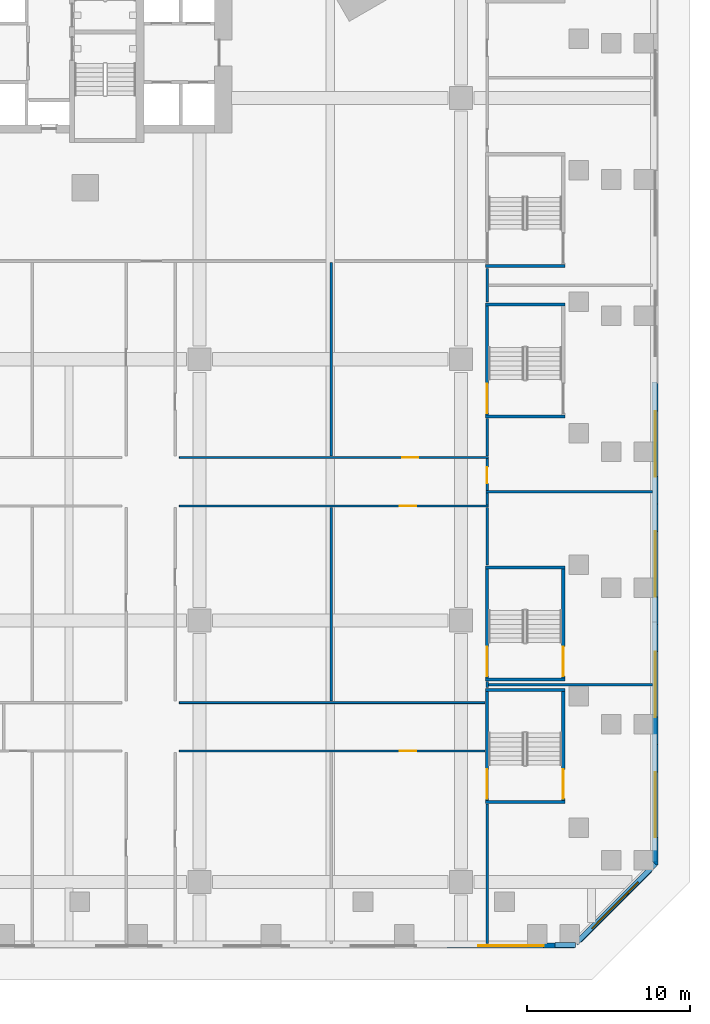
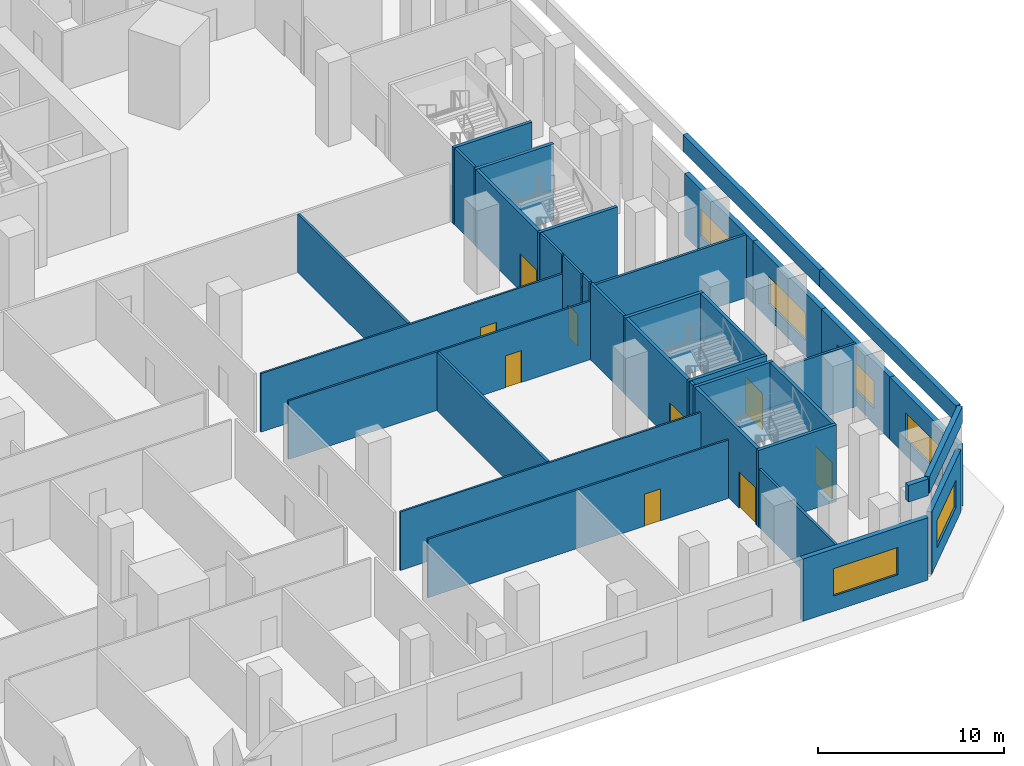
# One storey, part 9 of 22: 37 walls, 9 doors, 6 windows, 15 openings.
"""IFC4 building model written with IfcOpenShell, lengths in metres."""

from ifc_helpers import new_model, si_unit, direction, frame, frame_2d, origin, place, context, subcontext, project, spatial, rectangle, extrude, material, layer, layer_set, type_object, element, fill, save


model = new_model("IFC4")

# Units and contexts
model_context = context("Model", 3, precision=1e-05, world=origin(), true_north=direction((0.0, 1.0)))
body_context = subcontext(model_context, "Body", "Model", "MODEL_VIEW")
ifc_project = project(units=[si_unit("LENGTHUNIT", "METRE"), si_unit("AREAUNIT", "SQUARE_METRE"), si_unit("VOLUMEUNIT", "CUBIC_METRE"), si_unit("PLANEANGLEUNIT", "RADIAN"), si_unit("MASSUNIT", "GRAM", prefix="KILO")], contexts=[model_context])

# Site, building, storey
site_placement = place(None, origin())
site = spatial("IfcSite", under=ifc_project, at=site_placement, CompositionType="ELEMENT")
building_placement = place(site_placement, origin())
building = spatial("IfcBuilding", under=site, at=building_placement, Name="Calabash Gate Tower", CompositionType="ELEMENT")
storey_placement = place(building_placement, frame((0.0, 0.0, 29.0)))
storey = spatial("IfcBuildingStorey", under=building, at=storey_placement, Name="L03", CompositionType="ELEMENT", Elevation=29.0)

# Wall
ifc_material_1 = material(Name="Gypsum board on steel studs, mineral wool", Category="steel")
ifc_layer_1 = layer(ifc_material_1, 0.14990234375)
ifc_layer_set_1 = layer_set([ifc_layer_1], Name="Partition 150 gypsum board")
wall_type_1 = type_object("IfcWallType", Name="Partition 150 gypsum board", PredefinedType="PARTITIONING", material=ifc_layer_set_1)
wall_1_placement = place(storey_placement, frame((33.60009765625, -43.77001953125, 0.0), z_axis=(0.0, 0.0, 1.0), x_axis=(0.0, 1.0, 0.0)))
element("IfcWall", 1, at=wall_1_placement, inside=storey, type_object=wall_type_1, Name="Partition", PredefinedType="PARTITIONING", context=body_context, shape_type="SweptSolid", body=[
    extrude(rectangle(XDim=8.530029296875, YDim=0.14990234375, at=frame_2d((4.26513671875, 0.0))), origin(), (0.0, 0.0, 1.0), 3.85009765625),
])

# Wall, opening, door
wall_2_placement = place(storey_placement, frame((14.77001953125, -31.982421875, 0.0), z_axis=(0.0, 0.0, 1.0), x_axis=(1.0, 0.0, 0.0)))
wall_2 = element("IfcWall", 2, at=wall_2_placement, inside=storey, type_object=wall_type_1, Name="Partition", PredefinedType="PARTITIONING", context=body_context, shape_type="SweptSolid", body=[
    extrude(rectangle(XDim=18.68994140625, YDim=0.114990234375, at=frame_2d((9.344970703125, 0.0))), origin(), (0.0, 0.0, 1.0), 3.85009765625),
])
opening_1_placement = place(wall_2_placement, frame((13.47900390625, 0.0, 0.0)))
opening_1 = element("IfcOpeningElement", 3, at=opening_1_placement, cuts=wall_2, Name="Opening L03-069", PredefinedType="OPENING", context=body_context, shape_type="SweptSolid", body=[
    extrude(rectangle(XDim=1.0, YDim=2.10009765625, at=frame_2d((0.5, 1.050048828125))), frame((0.0, 0.0673828125, 0.0), z_axis=(0.0, -1.0, 0.0), x_axis=(1.0, 0.0, 0.0)), (0.0, 0.0, 1.0), 0.135009765625),
])
ifc_material_2 = material(Name="Steel fire door set with fire-resisting glazing", Category="steel")
door_type_1 = type_object("IfcDoorType", Name="Fire door D11 1000x2100 FD60", OperationType="NOTDEFINED", PredefinedType="DOOR", material=ifc_material_2)
door_1_placement = place(opening_1_placement, origin())
door_1 = element("IfcDoor", 4, at=door_1_placement, inside=storey, type_object=door_type_1, Name="Meeting Room 324 door", OperationType="SINGLE_SWING_LEFT", OverallHeight=2.10009765625, OverallWidth=1.0, PredefinedType="DOOR", context=body_context, shape_type="SweptSolid", body=[
    extrude(rectangle(XDim=1.0, YDim=2.10009765625, at=frame_2d((0.5, 1.050048828125))), frame((0.0, 0.02490234375, 0.0), z_axis=(0.0, -1.0, 0.0), x_axis=(1.0, 0.0, 0.0)), (0.0, 0.0, 1.0), 0.050048828125),
])
fill(opening_1, door_1)

# Walls
wall_3_placement = place(storey_placement, frame((14.77001953125, -29.017578125, 0.0), z_axis=(0.0, 0.0, 1.0), x_axis=(1.0, 0.0, 0.0)))
element("IfcWall", 5, at=wall_3_placement, inside=storey, type_object=wall_type_1, Name="Partition", PredefinedType="PARTITIONING", context=body_context, shape_type="SweptSolid", body=[
    extrude(rectangle(XDim=18.68994140625, YDim=0.114990234375, at=frame_2d((9.344970703125, 0.0))), origin(), (0.0, 0.0, 1.0), 3.85009765625),
])
wall_4_placement = place(storey_placement, frame((24.050048828125, -28.925048828125, 0.0), z_axis=(0.0, 0.0, 1.0), x_axis=(0.0, 1.0, 0.0)))
element("IfcWall", 6, at=wall_4_placement, inside=storey, type_object=wall_type_1, Name="Partition", PredefinedType="PARTITIONING", context=body_context, shape_type="SweptSolid", body=[
    extrude(rectangle(XDim=11.85009765625, YDim=0.14990234375, at=frame_2d((5.925048828125, 0.0))), origin(), (0.0, 0.0, 1.0), 3.85009765625),
])
wall_5_placement = place(storey_placement, frame((33.60009765625, -28.110107421875, 0.0), z_axis=(0.0, 0.0, 1.0), x_axis=(0.0, 1.0, 0.0)))
element("IfcWall", 7, at=wall_5_placement, inside=storey, type_object=wall_type_1, Name="Partition", PredefinedType="PARTITIONING", context=body_context, shape_type="SweptSolid", body=[
    extrude(rectangle(XDim=0.3701171875, YDim=0.14990234375, at=frame_2d((0.18505859375, 0.0))), origin(), (0.0, 0.0, 1.0), 5.050048828125),
])
wall_6_placement = place(storey_placement, frame((33.675048828125, -27.925048828125, 0.0), z_axis=(0.0, 0.0, 1.0), x_axis=(1.0, 0.0, 0.0)))
element("IfcWall", 8, at=wall_6_placement, inside=storey, type_object=wall_type_1, Name="Partition", PredefinedType="PARTITIONING", context=body_context, shape_type="SweptSolid", body=[
    extrude(rectangle(XDim=10.044921875, YDim=0.14990234375, at=frame_2d((5.0224609375, 0.0))), origin(), (0.0, 0.0, 1.0), 4.14990234375),
])
wall_7_placement = place(storey_placement, frame((33.60009765625, -20.610107421875, 0.0), z_axis=(0.0, 0.0, 1.0), x_axis=(0.0, 1.0, 0.0)))
element("IfcWall", 9, at=wall_7_placement, inside=storey, type_object=wall_type_1, Name="Partition", PredefinedType="PARTITIONING", context=body_context, shape_type="SweptSolid", body=[
    extrude(rectangle(XDim=3.53515625, YDim=0.14990234375, at=frame_2d((1.767578125, 0.0))), origin(), (0.0, 0.0, 1.0), 5.050048828125),
])

# Wall, opening, door
wall_8_placement = place(storey_placement, frame((14.77001953125, -16.982421875, 0.0), z_axis=(0.0, 0.0, 1.0), x_axis=(1.0, 0.0, 0.0)))
wall_8 = element("IfcWall", 10, at=wall_8_placement, inside=storey, type_object=wall_type_1, Name="Partition", PredefinedType="PARTITIONING", context=body_context, shape_type="SweptSolid", body=[
    extrude(rectangle(XDim=18.905029296875, YDim=0.114990234375, at=frame_2d((9.45263671875, 0.0))), origin(), (0.0, 0.0, 1.0), 3.85009765625),
])
opening_2_placement = place(wall_8_placement, frame((13.47998046875, 0.0, 0.0)))
opening_2 = element("IfcOpeningElement", 11, at=opening_2_placement, cuts=wall_8, Name="Opening L03-061", PredefinedType="OPENING", context=body_context, shape_type="SweptSolid", body=[
    extrude(rectangle(XDim=1.0, YDim=2.10009765625, at=frame_2d((0.5, 1.050048828125))), frame((0.0, 0.0673828125, 0.0), z_axis=(0.0, -1.0, 0.0), x_axis=(1.0, 0.0, 0.0)), (0.0, 0.0, 1.0), 0.135009765625),
])
door_2_placement = place(opening_2_placement, origin())
door_2 = element("IfcDoor", 12, at=door_2_placement, inside=storey, type_object=door_type_1, Name="Meeting Room 316 door", OperationType="SINGLE_SWING_RIGHT", OverallHeight=2.10009765625, OverallWidth=1.0, PredefinedType="DOOR", context=body_context, shape_type="SweptSolid", body=[
    extrude(rectangle(XDim=1.0, YDim=2.10009765625, at=frame_2d((0.5, 1.050048828125))), frame((0.0, 0.02490234375, 0.0), z_axis=(0.0, -1.0, 0.0), x_axis=(1.0, 0.0, 0.0)), (0.0, 0.0, 1.0), 0.050048828125),
])
fill(opening_2, door_2)

# Walls
wall_9_placement = place(storey_placement, frame((33.60009765625, -16.925048828125, 0.0), z_axis=(0.0, 0.0, 1.0), x_axis=(0.0, 1.0, 0.0)))
element("IfcWall", 13, at=wall_9_placement, inside=storey, type_object=wall_type_1, Name="Partition", PredefinedType="PARTITIONING", context=body_context, shape_type="SweptSolid", body=[
    extrude(rectangle(XDim=0.72509765625, YDim=0.14990234375, at=frame_2d((0.362548828125, 0.0))), origin(), (0.0, 0.0, 1.0), 5.050048828125),
])
wall_10_placement = place(storey_placement, frame((33.52490234375, -16.125, 0.0), z_axis=(0.0, 0.0, 1.0), x_axis=(1.0, 0.0, 0.0)))
element("IfcWall", 14, at=wall_10_placement, inside=storey, type_object=wall_type_1, Name="Partition", PredefinedType="PARTITIONING", context=body_context, shape_type="SweptSolid", body=[
    extrude(rectangle(XDim=10.195068359375, YDim=0.14990234375, at=frame_2d((5.09765625, 0.0))), origin(), (0.0, 0.0, 1.0), 4.14990234375),
])

# Wall, opening, door
wall_11_placement = place(storey_placement, frame((33.60009765625, -16.050048828125, 0.0), z_axis=(0.0, 0.0, 1.0), x_axis=(0.0, 1.0, 0.0)))
wall_11 = element("IfcWall", 15, at=wall_11_placement, inside=storey, type_object=wall_type_1, Name="Partition", PredefinedType="PARTITIONING", context=body_context, shape_type="SweptSolid", body=[
    extrude(rectangle(XDim=1.97509765625, YDim=0.14990234375, at=frame_2d((0.987548828125, 0.0))), origin(), (0.0, 0.0, 1.0), 5.050048828125),
])
opening_3_placement = place(wall_11_placement, frame((0.449951171875, 0.0, 0.0)))
opening_3 = element("IfcOpeningElement", 16, at=opening_3_placement, cuts=wall_11, Name="Opening L03-073", PredefinedType="OPENING", context=body_context, shape_type="SweptSolid", body=[
    extrude(rectangle(XDim=1.0, YDim=2.10009765625, at=frame_2d((0.5, 1.050048828125))), frame((0.0, 0.0849609375, 0.0), z_axis=(0.0, -1.0, 0.0), x_axis=(1.0, 0.0, 0.0)), (0.0, 0.0, 1.0), 0.169921875),
])
door_3_placement = place(opening_3_placement, origin())
door_3 = element("IfcDoor", 17, at=door_3_placement, inside=storey, type_object=door_type_1, Name="Delegate Lounge door", OperationType="SINGLE_SWING_LEFT", OverallHeight=2.10009765625, OverallWidth=1.0, PredefinedType="DOOR", context=body_context, shape_type="SweptSolid", body=[
    extrude(rectangle(XDim=1.0, YDim=2.10009765625, at=frame_2d((0.5, 1.050048828125))), frame((0.0, 0.02490234375, 0.0), z_axis=(0.0, -1.0, 0.0), x_axis=(1.0, 0.0, 0.0)), (0.0, 0.0, 1.0), 0.050048828125),
])
fill(opening_3, door_3)

wall_12_placement = place(storey_placement, frame((14.77001953125, -14.017578125, 0.0), z_axis=(0.0, 0.0, 1.0), x_axis=(1.0, 0.0, 0.0)))
wall_12 = element("IfcWall", 18, at=wall_12_placement, inside=storey, type_object=wall_type_1, Name="Partition", PredefinedType="PARTITIONING", context=body_context, shape_type="SweptSolid", body=[
    extrude(rectangle(XDim=18.905029296875, YDim=0.114990234375, at=frame_2d((9.45263671875, 0.0))), origin(), (0.0, 0.0, 1.0), 3.85009765625),
])
opening_4_placement = place(wall_12_placement, frame((13.6298828125, 0.0, 0.0)))
opening_4 = element("IfcOpeningElement", 19, at=opening_4_placement, cuts=wall_12, Name="Opening L03-053", PredefinedType="OPENING", context=body_context, shape_type="SweptSolid", body=[
    extrude(rectangle(XDim=1.0, YDim=2.10009765625, at=frame_2d((0.5, 1.050048828125))), frame((0.0, 0.0673828125, 0.0), z_axis=(0.0, -1.0, 0.0), x_axis=(1.0, 0.0, 0.0)), (0.0, 0.0, 1.0), 0.135009765625),
])
door_4_placement = place(opening_4_placement, origin())
door_4 = element("IfcDoor", 20, at=door_4_placement, inside=storey, type_object=door_type_1, Name="Meeting Room 308 door", OperationType="SINGLE_SWING_RIGHT", OverallHeight=2.10009765625, OverallWidth=1.0, PredefinedType="DOOR", context=body_context, shape_type="SweptSolid", body=[
    extrude(rectangle(XDim=1.0, YDim=2.10009765625, at=frame_2d((0.5, 1.050048828125))), frame((0.0, 0.02490234375, 0.0), z_axis=(0.0, -1.0, 0.0), x_axis=(1.0, 0.0, 0.0)), (0.0, 0.0, 1.0), 0.050048828125),
])
fill(opening_4, door_4)

# Walls
wall_13_placement = place(storey_placement, frame((24.050048828125, -13.925048828125, 0.0), z_axis=(0.0, 0.0, 1.0), x_axis=(0.0, 1.0, 0.0)))
element("IfcWall", 21, at=wall_13_placement, inside=storey, type_object=wall_type_1, Name="Partition", PredefinedType="PARTITIONING", context=body_context, shape_type="SweptSolid", body=[
    extrude(rectangle(XDim=11.85009765625, YDim=0.14990234375, at=frame_2d((5.925048828125, 0.0))), origin(), (0.0, 0.0, 1.0), 3.85009765625),
])
wall_14_placement = place(storey_placement, frame((33.60009765625, -13.925048828125, 0.0), z_axis=(0.0, 0.0, 1.0), x_axis=(0.0, 1.0, 0.0)))
element("IfcWall", 22, at=wall_14_placement, inside=storey, type_object=wall_type_1, Name="Partition", PredefinedType="PARTITIONING", context=body_context, shape_type="SweptSolid", body=[
    extrude(rectangle(XDim=2.28515625, YDim=0.14990234375, at=frame_2d((1.142578125, 0.0))), origin(), (0.0, 0.0, 1.0), 5.050048828125),
])
wall_15_placement = place(storey_placement, frame((33.60009765625, -4.510009765625, 0.0), z_axis=(0.0, 0.0, 1.0), x_axis=(0.0, 1.0, 0.0)))
element("IfcWall", 23, at=wall_15_placement, inside=storey, type_object=wall_type_1, Name="Partition", PredefinedType="PARTITIONING", context=body_context, shape_type="SweptSolid", body=[
    extrude(rectangle(XDim=2.070068359375, YDim=0.14990234375, at=frame_2d((1.03515625, 0.0))), origin(), (0.0, 0.0, 1.0), 5.050048828125),
])

# Wall, opening, window
ifc_material_3 = material(Name="Terracotta brick masonry, exposed face", Category="masonry")
ifc_layer_2 = layer(ifc_material_3, 0.300048828125)
ifc_layer_set_2 = layer_set([ifc_layer_2], Name="Podium brick wall 300")
wall_type_2 = type_object("IfcWallType", Name="Podium brick wall 300", PredefinedType="SOLIDWALL", material=ifc_layer_set_2)
wall_16_placement = place(storey_placement, frame((31.159912109375, -43.89990234375, 0.0), z_axis=(0.0, 0.0, 1.0), x_axis=(1.0, 0.0, 0.0)))
wall_16 = element("IfcWall", 24, at=wall_16_placement, inside=storey, type_object=wall_type_2, Name="Podium brick wall L03 0.0.9", PredefinedType="SOLIDWALL", context=body_context, shape_type="SweptSolid", body=[
    extrude(rectangle(XDim=7.7900390625, YDim=0.300048828125, at=frame_2d((3.89501953125, 0.0))), origin(), (0.0, 0.0, 1.0), 4.10009765625),
])
opening_5_placement = place(wall_16_placement, frame((1.89501953125, 0.0, 1.0)))
opening_5 = element("IfcOpeningElement", 25, at=opening_5_placement, cuts=wall_16, Name="Opening WM1", PredefinedType="OPENING", context=body_context, shape_type="SweptSolid", body=[
    extrude(rectangle(XDim=4.0, YDim=1.800048828125, at=frame_2d((2.0, 0.89990234375))), frame((0.0, 0.159912109375, 0.0), z_axis=(0.0, -1.0, 0.0), x_axis=(1.0, 0.0, 0.0)), (0.0, 0.0, 1.0), 0.320068359375),
])
ifc_material_4 = material(Name="Anodised aluminium frame, bronze finish, impact-rated laminated clear glazing", Category="aluminium")
window_type = type_object("IfcWindowType", Name="Window WM1 4000x1800", PartitioningType="TRIPLE_PANEL_VERTICAL", PredefinedType="WINDOW", material=ifc_material_4)
window_1_placement = place(opening_5_placement, origin())
window_1 = element("IfcWindow", 26, at=window_1_placement, inside=storey, type_object=window_type, Name="Meeting room window L03 0.0.9", OverallHeight=1.800048828125, OverallWidth=4.0, PartitioningType="SINGLE_PANEL", PredefinedType="WINDOW", context=body_context, shape_type="SweptSolid", body=[
    extrude(rectangle(XDim=4.0, YDim=1.800048828125, at=frame_2d((2.0, 0.89990234375))), frame((0.0, 0.030029296875, 0.0), z_axis=(0.0, -1.0, 0.0), x_axis=(1.0, 0.0, 0.0)), (0.0, 0.0, 1.0), 0.06005859375),
])
fill(opening_5, window_1)

wall_17_placement = place(storey_placement, frame((39.27099609375, -43.587646484375, 0.0), z_axis=(0.0, 0.0, 1.0), x_axis=(0.707106781187, 0.707106781187, 0.0)))
wall_17 = element("IfcWall", 27, at=wall_17_placement, inside=storey, type_object=wall_type_2, Name="Podium brick wall L03 1.0.0", PredefinedType="SOLIDWALL", context=body_context, shape_type="SweptSolid", body=[
    extrude(rectangle(XDim=6.104736328125, YDim=0.300048828125, at=frame_2d((3.05224609375, 0.0))), origin(), (0.0, 0.0, 1.0), 4.10009765625),
])
opening_6_placement = place(wall_17_placement, frame((1.05224609375, 0.0, 1.0)))
opening_6 = element("IfcOpeningElement", 28, at=opening_6_placement, cuts=wall_17, Name="Opening WM1", PredefinedType="OPENING", context=body_context, shape_type="SweptSolid", body=[
    extrude(rectangle(XDim=4.0, YDim=1.800048828125, at=frame_2d((2.0, 0.89990234375))), frame((0.0, 0.159912109375, 0.0), z_axis=(0.0, -1.0, 0.0), x_axis=(1.0, 0.0, 0.0)), (0.0, 0.0, 1.0), 0.320068359375),
])
window_2_placement = place(opening_6_placement, origin())
window_2 = element("IfcWindow", 29, at=window_2_placement, inside=storey, type_object=window_type, Name="Meeting room window L03 1.0.0", OverallHeight=1.800048828125, OverallWidth=4.0, PartitioningType="SINGLE_PANEL", PredefinedType="WINDOW", context=body_context, shape_type="SweptSolid", body=[
    extrude(rectangle(XDim=4.0, YDim=1.800048828125, at=frame_2d((2.0, 0.89990234375))), frame((0.0, 0.030029296875, 0.0), z_axis=(0.0, -1.0, 0.0), x_axis=(1.0, 0.0, 0.0)), (0.0, 0.0, 1.0), 0.06005859375),
])
fill(opening_6, window_2)

wall_18_placement = place(storey_placement, frame((43.89990234375, -38.949951171875, 0.0), z_axis=(0.0, 0.0, 1.0), x_axis=(0.0, 1.0, 0.0)))
wall_18 = element("IfcWall", 30, at=wall_18_placement, inside=storey, type_object=wall_type_2, Name="Podium brick wall L03 2.0.0", PredefinedType="SOLIDWALL", context=body_context, shape_type="SweptSolid", body=[
    extrude(rectangle(XDim=7.362548828125, YDim=0.300048828125, at=frame_2d((3.68115234375, 0.0))), origin(), (0.0, 0.0, 1.0), 4.10009765625),
])
opening_7_placement = place(wall_18_placement, frame((1.68115234375, 0.0, 1.0)))
opening_7 = element("IfcOpeningElement", 31, at=opening_7_placement, cuts=wall_18, Name="Opening WM1", PredefinedType="OPENING", context=body_context, shape_type="SweptSolid", body=[
    extrude(rectangle(XDim=4.0, YDim=1.800048828125, at=frame_2d((2.0, 0.89990234375))), frame((0.0, 0.159912109375, 0.0), z_axis=(0.0, -1.0, 0.0), x_axis=(1.0, 0.0, 0.0)), (0.0, 0.0, 1.0), 0.320068359375),
])
window_3_placement = place(opening_7_placement, origin())
window_3 = element("IfcWindow", 32, at=window_3_placement, inside=storey, type_object=window_type, Name="Meeting room window L03 2.0.0", OverallHeight=1.800048828125, OverallWidth=4.0, PartitioningType="SINGLE_PANEL", PredefinedType="WINDOW", context=body_context, shape_type="SweptSolid", body=[
    extrude(rectangle(XDim=4.0, YDim=1.800048828125, at=frame_2d((2.0, 0.89990234375))), frame((0.0, 0.030029296875, 0.0), z_axis=(0.0, -1.0, 0.0), x_axis=(1.0, 0.0, 0.0)), (0.0, 0.0, 1.0), 0.06005859375),
])
fill(opening_7, window_3)

wall_19_placement = place(storey_placement, frame((43.89990234375, -31.58740234375, 0.0), z_axis=(0.0, 0.0, 1.0), x_axis=(0.0, 1.0, 0.0)))
wall_19 = element("IfcWall", 33, at=wall_19_placement, inside=storey, type_object=wall_type_2, Name="Podium brick wall L03 2.0.1", PredefinedType="SOLIDWALL", context=body_context, shape_type="SweptSolid", body=[
    extrude(rectangle(XDim=7.3623046875, YDim=0.300048828125, at=frame_2d((3.68115234375, 0.0))), origin(), (0.0, 0.0, 1.0), 4.10009765625),
])
opening_8_placement = place(wall_19_placement, frame((1.68115234375, 0.0, 1.0)))
opening_8 = element("IfcOpeningElement", 34, at=opening_8_placement, cuts=wall_19, Name="Opening WM1", PredefinedType="OPENING", context=body_context, shape_type="SweptSolid", body=[
    extrude(rectangle(XDim=4.0, YDim=1.800048828125, at=frame_2d((2.0, 0.89990234375))), frame((0.0, 0.159912109375, 0.0), z_axis=(0.0, -1.0, 0.0), x_axis=(1.0, 0.0, 0.0)), (0.0, 0.0, 1.0), 0.320068359375),
])
window_4_placement = place(opening_8_placement, origin())
window_4 = element("IfcWindow", 35, at=window_4_placement, inside=storey, type_object=window_type, Name="Meeting room window L03 2.0.1", OverallHeight=1.800048828125, OverallWidth=4.0, PartitioningType="SINGLE_PANEL", PredefinedType="WINDOW", context=body_context, shape_type="SweptSolid", body=[
    extrude(rectangle(XDim=4.0, YDim=1.800048828125, at=frame_2d((2.0, 0.89990234375))), frame((0.0, 0.030029296875, 0.0), z_axis=(0.0, -1.0, 0.0), x_axis=(1.0, 0.0, 0.0)), (0.0, 0.0, 1.0), 0.06005859375),
])
fill(opening_8, window_4)

wall_20_placement = place(storey_placement, frame((43.89990234375, -24.22509765625, 0.0), z_axis=(0.0, 0.0, 1.0), x_axis=(0.0, 1.0, 0.0)))
wall_20 = element("IfcWall", 36, at=wall_20_placement, inside=storey, type_object=wall_type_2, Name="Podium brick wall L03 2.0.2", PredefinedType="SOLIDWALL", context=body_context, shape_type="SweptSolid", body=[
    extrude(rectangle(XDim=7.362548828125, YDim=0.300048828125, at=frame_2d((3.68115234375, 0.0))), origin(), (0.0, 0.0, 1.0), 4.10009765625),
])
opening_9_placement = place(wall_20_placement, frame((1.68115234375, 0.0, 1.0)))
opening_9 = element("IfcOpeningElement", 37, at=opening_9_placement, cuts=wall_20, Name="Opening WM1", PredefinedType="OPENING", context=body_context, shape_type="SweptSolid", body=[
    extrude(rectangle(XDim=4.0, YDim=1.800048828125, at=frame_2d((2.0, 0.89990234375))), frame((0.0, 0.159912109375, 0.0), z_axis=(0.0, -1.0, 0.0), x_axis=(1.0, 0.0, 0.0)), (0.0, 0.0, 1.0), 0.320068359375),
])
window_5_placement = place(opening_9_placement, origin())
window_5 = element("IfcWindow", 38, at=window_5_placement, inside=storey, type_object=window_type, Name="Meeting room window L03 2.0.2", OverallHeight=1.800048828125, OverallWidth=4.0, PartitioningType="SINGLE_PANEL", PredefinedType="WINDOW", context=body_context, shape_type="SweptSolid", body=[
    extrude(rectangle(XDim=4.0, YDim=1.800048828125, at=frame_2d((2.0, 0.89990234375))), frame((0.0, 0.030029296875, 0.0), z_axis=(0.0, -1.0, 0.0), x_axis=(1.0, 0.0, 0.0)), (0.0, 0.0, 1.0), 0.06005859375),
])
fill(opening_9, window_5)

wall_21_placement = place(storey_placement, frame((43.89990234375, -16.862548828125, 0.0), z_axis=(0.0, 0.0, 1.0), x_axis=(0.0, 1.0, 0.0)))
wall_21 = element("IfcWall", 39, at=wall_21_placement, inside=storey, type_object=wall_type_2, Name="Podium brick wall L03 2.0.3", PredefinedType="SOLIDWALL", context=body_context, shape_type="SweptSolid", body=[
    extrude(rectangle(XDim=7.362548828125, YDim=0.300048828125, at=frame_2d((3.68115234375, 0.0))), origin(), (0.0, 0.0, 1.0), 4.10009765625),
])
opening_10_placement = place(wall_21_placement, frame((1.68115234375, 0.0, 1.0)))
opening_10 = element("IfcOpeningElement", 40, at=opening_10_placement, cuts=wall_21, Name="Opening WM1", PredefinedType="OPENING", context=body_context, shape_type="SweptSolid", body=[
    extrude(rectangle(XDim=4.0, YDim=1.800048828125, at=frame_2d((2.0, 0.89990234375))), frame((0.0, 0.159912109375, 0.0), z_axis=(0.0, -1.0, 0.0), x_axis=(1.0, 0.0, 0.0)), (0.0, 0.0, 1.0), 0.320068359375),
])
window_6_placement = place(opening_10_placement, origin())
window_6 = element("IfcWindow", 41, at=window_6_placement, inside=storey, type_object=window_type, Name="Meeting room window L03 2.0.3", OverallHeight=1.800048828125, OverallWidth=4.0, PartitioningType="SINGLE_PANEL", PredefinedType="WINDOW", context=body_context, shape_type="SweptSolid", body=[
    extrude(rectangle(XDim=4.0, YDim=1.800048828125, at=frame_2d((2.0, 0.89990234375))), frame((0.0, 0.030029296875, 0.0), z_axis=(0.0, -1.0, 0.0), x_axis=(1.0, 0.0, 0.0)), (0.0, 0.0, 1.0), 0.06005859375),
])
fill(opening_10, window_6)

# Walls
ifc_material_5 = material(Name="Terracotta brick masonry, exposed face", Category="masonry")
ifc_layer_3 = layer(ifc_material_5, 0.300048828125)
ifc_layer_set_3 = layer_set([ifc_layer_3], Name="Podium parapet wall 300")
wall_type_3 = type_object("IfcWallType", Name="Podium parapet wall 300", PredefinedType="PARAPET", material=ifc_layer_set_3)
wall_22_placement = place(storey_placement, frame((37.75, -43.85009765625, 5.5), z_axis=(0.0, 0.0, 1.0), x_axis=(1.0, 0.0, 0.0)))
element("IfcWall", 42, at=wall_22_placement, inside=storey, type_object=wall_type_3, Name="Podium parapet L03 0.1.0", PredefinedType="PARAPET", context=body_context, shape_type="SweptSolid", body=[
    extrude(rectangle(XDim=1.25, YDim=0.300048828125, at=frame_2d((0.625, 0.0))), origin(), (0.0, 0.0, 1.0), 1.10009765625),
])
wall_23_placement = place(storey_placement, frame((39.04248046875, -43.745361328125, 5.5), z_axis=(0.0, 0.0, 1.0), x_axis=(0.707124572946, 0.70708898898, 0.0)))
element("IfcWall", 43, at=wall_23_placement, inside=storey, type_object=wall_type_3, Name="Podium parapet L03 1.0.0", PredefinedType="PARAPET", context=body_context, shape_type="SweptSolid", body=[
    extrude(rectangle(XDim=6.861083984375, YDim=0.300048828125, at=frame_2d((3.4306640625, 0.0))), origin(), (0.0, 0.0, 1.0), 1.10009765625),
])
for number, where, z_axis, x_axis, name in (
    (44, (43.85009765625, -38.7900390625, 5.5), (0.0, 0.0, 1.0), (0.0, 1.0, 0.0), "Podium parapet L03 2.0.0"),
    (45, (43.85009765625, -24.092529296875, 5.5), (0.0, 0.0, 1.0), (0.0, 1.0, 0.0), "Podium parapet L03 2.0.1"),
):
    element("IfcWall", number, at=place(storey_placement, frame(where, z_axis=z_axis, x_axis=x_axis)), inside=storey, type_object=wall_type_3, Name=name, PredefinedType="PARAPET", context=body_context, shape_type="SweptSolid", body=[
        extrude(rectangle(XDim=14.697509765625, YDim=0.300048828125, at=frame_2d((7.3486328125, 0.0))), origin(), (0.0, 0.0, 1.0), 1.10009765625),
    ])
ifc_material_6 = material(Name="Concrete C40/50", Category="concrete")
ifc_layer_4 = layer(ifc_material_6, 0.199951171875)
ifc_layer_set_4 = layer_set([ifc_layer_4], Name="Stair wall 200 Concrete C40/50")
wall_type_4 = type_object("IfcWallType", Name="Stair wall 200 Concrete C40/50", PredefinedType="SOLIDWALL", material=ifc_layer_set_4)
for number, where, z_axis, x_axis, name in (
    (46, (33.5, -35.10009765625, 0.0), (0.0, 0.0, 1.0), (1.0, 0.0, 0.0), "Stair wall"),
    (47, (33.5, -28.25, 0.0), (0.0, 0.0, 1.0), (1.0, 0.0, 0.0), "Stair wall"),
):
    element("IfcWall", number, at=place(storey_placement, frame(where, z_axis=z_axis, x_axis=x_axis)), inside=storey, type_object=wall_type_4, Name=name, PredefinedType="SOLIDWALL", context=body_context, shape_type="SweptSolid", body=[
        extrude(rectangle(XDim=4.8701171875, YDim=0.199951171875, at=frame_2d((2.43505859375, 0.0))), origin(), (0.0, 0.0, 1.0), 5.050048828125),
    ])

# Wall, opening, door
wall_24_placement = place(storey_placement, frame((33.60009765625, -35.0, 0.0), z_axis=(0.0, 0.0, 1.0), x_axis=(0.0, 1.0, 0.0)))
wall_24 = element("IfcWall", 48, at=wall_24_placement, inside=storey, type_object=wall_type_4, Name="Stair wall", PredefinedType="SOLIDWALL", context=body_context, shape_type="SweptSolid", body=[
    extrude(rectangle(XDim=6.64990234375, YDim=0.199951171875, at=frame_2d((3.324951171875, 0.0))), origin(), (0.0, 0.0, 1.0), 5.050048828125),
])
opening_11_placement = place(wall_24_placement, frame((0.10009765625, 0.0, 0.0)))
opening_11 = element("IfcOpeningElement", 49, at=opening_11_placement, cuts=wall_24, Name="Opening L03-028", PredefinedType="OPENING", context=body_context, shape_type="SweptSolid", body=[
    extrude(rectangle(XDim=1.800048828125, YDim=2.39990234375, at=frame_2d((0.89990234375, 1.199951171875))), frame((0.0, 0.10986328125, 0.0), z_axis=(0.0, -1.0, 0.0), x_axis=(1.0, 0.0, 0.0)), (0.0, 0.0, 1.0), 0.219970703125),
])
ifc_material_7 = material(Name="Steel fire door set with fire-resisting glazing", Category="steel")
door_type_2 = type_object("IfcDoorType", Name="Double fire door D16 1800x2400 FD90", OperationType="DOUBLE_DOOR_SINGLE_SWING", PredefinedType="DOOR", material=ifc_material_7)
door_5_placement = place(opening_11_placement, origin())
door_5 = element("IfcDoor", 50, at=door_5_placement, inside=storey, type_object=door_type_2, Name="Exit stair door PS6", OperationType="DOUBLE_DOOR_SINGLE_SWING", OverallHeight=2.39990234375, OverallWidth=1.800048828125, PredefinedType="DOOR", context=body_context, shape_type="SweptSolid", body=[
    extrude(rectangle(XDim=1.800048828125, YDim=2.39990234375, at=frame_2d((0.89990234375, 1.199951171875))), frame((0.0, 0.02490234375, 0.0), z_axis=(0.0, -1.0, 0.0), x_axis=(1.0, 0.0, 0.0)), (0.0, 0.0, 1.0), 0.050048828125),
])
fill(opening_11, door_5)

wall_25_placement = place(storey_placement, frame((38.27001953125, -35.0, 0.0), z_axis=(0.0, 0.0, 1.0), x_axis=(0.0, 1.0, 0.0)))
wall_25 = element("IfcWall", 51, at=wall_25_placement, inside=storey, type_object=wall_type_4, Name="Stair wall", PredefinedType="SOLIDWALL", context=body_context, shape_type="SweptSolid", body=[
    extrude(rectangle(XDim=6.64990234375, YDim=0.199951171875, at=frame_2d((3.324951171875, 0.0))), origin(), (0.0, 0.0, 1.0), 5.050048828125),
])
opening_12_placement = place(wall_25_placement, frame((0.10009765625, 0.0, 0.0)))
opening_12 = element("IfcOpeningElement", 52, at=opening_12_placement, cuts=wall_25, Name="Opening L03-029", PredefinedType="OPENING", context=body_context, shape_type="SweptSolid", body=[
    extrude(rectangle(XDim=1.800048828125, YDim=2.39990234375, at=frame_2d((0.89990234375, 1.199951171875))), frame((0.0, 0.10986328125, 0.0), z_axis=(0.0, -1.0, 0.0), x_axis=(1.0, 0.0, 0.0)), (0.0, 0.0, 1.0), 0.219970703125),
])
door_6_placement = place(opening_12_placement, origin())
door_6 = element("IfcDoor", 53, at=door_6_placement, inside=storey, type_object=door_type_2, Name="Exit stair door PS6", OperationType="DOUBLE_DOOR_SINGLE_SWING", OverallHeight=2.39990234375, OverallWidth=1.800048828125, PredefinedType="DOOR", context=body_context, shape_type="SweptSolid", body=[
    extrude(rectangle(XDim=1.800048828125, YDim=2.39990234375, at=frame_2d((0.89990234375, 1.199951171875))), frame((0.0, 0.02490234375, 0.0), z_axis=(0.0, -1.0, 0.0), x_axis=(1.0, 0.0, 0.0)), (0.0, 0.0, 1.0), 0.050048828125),
])
fill(opening_12, door_6)

# Walls
for number, where, z_axis, x_axis, name in (
    (54, (33.5, -27.60009765625, 0.0), (0.0, 0.0, 1.0), (1.0, 0.0, 0.0), "Stair wall"),
    (55, (33.5, -20.75, 0.0), (0.0, 0.0, 1.0), (1.0, 0.0, 0.0), "Stair wall"),
):
    element("IfcWall", number, at=place(storey_placement, frame(where, z_axis=z_axis, x_axis=x_axis)), inside=storey, type_object=wall_type_4, Name=name, PredefinedType="SOLIDWALL", context=body_context, shape_type="SweptSolid", body=[
        extrude(rectangle(XDim=4.8701171875, YDim=0.199951171875, at=frame_2d((2.43505859375, 0.0))), origin(), (0.0, 0.0, 1.0), 5.050048828125),
    ])

# Wall, opening, door
wall_26_placement = place(storey_placement, frame((33.60009765625, -27.5, 0.0), z_axis=(0.0, 0.0, 1.0), x_axis=(0.0, 1.0, 0.0)))
wall_26 = element("IfcWall", 56, at=wall_26_placement, inside=storey, type_object=wall_type_4, Name="Stair wall", PredefinedType="SOLIDWALL", context=body_context, shape_type="SweptSolid", body=[
    extrude(rectangle(XDim=6.64990234375, YDim=0.199951171875, at=frame_2d((3.324951171875, 0.0))), origin(), (0.0, 0.0, 1.0), 5.050048828125),
])
opening_13_placement = place(wall_26_placement, frame((0.10009765625, 0.0, 0.0)))
opening_13 = element("IfcOpeningElement", 57, at=opening_13_placement, cuts=wall_26, Name="Opening L03-030", PredefinedType="OPENING", context=body_context, shape_type="SweptSolid", body=[
    extrude(rectangle(XDim=1.800048828125, YDim=2.39990234375, at=frame_2d((0.89990234375, 1.199951171875))), frame((0.0, 0.10986328125, 0.0), z_axis=(0.0, -1.0, 0.0), x_axis=(1.0, 0.0, 0.0)), (0.0, 0.0, 1.0), 0.219970703125),
])
door_7_placement = place(opening_13_placement, origin())
door_7 = element("IfcDoor", 58, at=door_7_placement, inside=storey, type_object=door_type_2, Name="Exit stair door PS7", OperationType="DOUBLE_DOOR_SINGLE_SWING", OverallHeight=2.39990234375, OverallWidth=1.800048828125, PredefinedType="DOOR", context=body_context, shape_type="SweptSolid", body=[
    extrude(rectangle(XDim=1.800048828125, YDim=2.39990234375, at=frame_2d((0.89990234375, 1.199951171875))), frame((0.0, 0.02490234375, 0.0), z_axis=(0.0, -1.0, 0.0), x_axis=(1.0, 0.0, 0.0)), (0.0, 0.0, 1.0), 0.050048828125),
])
fill(opening_13, door_7)

wall_27_placement = place(storey_placement, frame((38.27001953125, -27.5, 0.0), z_axis=(0.0, 0.0, 1.0), x_axis=(0.0, 1.0, 0.0)))
wall_27 = element("IfcWall", 59, at=wall_27_placement, inside=storey, type_object=wall_type_4, Name="Stair wall", PredefinedType="SOLIDWALL", context=body_context, shape_type="SweptSolid", body=[
    extrude(rectangle(XDim=6.64990234375, YDim=0.199951171875, at=frame_2d((3.324951171875, 0.0))), origin(), (0.0, 0.0, 1.0), 5.050048828125),
])
opening_14_placement = place(wall_27_placement, frame((0.10009765625, 0.0, 0.0)))
opening_14 = element("IfcOpeningElement", 60, at=opening_14_placement, cuts=wall_27, Name="Opening L03-031", PredefinedType="OPENING", context=body_context, shape_type="SweptSolid", body=[
    extrude(rectangle(XDim=1.800048828125, YDim=2.39990234375, at=frame_2d((0.89990234375, 1.199951171875))), frame((0.0, 0.10986328125, 0.0), z_axis=(0.0, -1.0, 0.0), x_axis=(1.0, 0.0, 0.0)), (0.0, 0.0, 1.0), 0.219970703125),
])
door_8_placement = place(opening_14_placement, origin())
door_8 = element("IfcDoor", 61, at=door_8_placement, inside=storey, type_object=door_type_2, Name="Exit stair door PS7", OperationType="DOUBLE_DOOR_SINGLE_SWING", OverallHeight=2.39990234375, OverallWidth=1.800048828125, PredefinedType="DOOR", context=body_context, shape_type="SweptSolid", body=[
    extrude(rectangle(XDim=1.800048828125, YDim=2.39990234375, at=frame_2d((0.89990234375, 1.199951171875))), frame((0.0, 0.02490234375, 0.0), z_axis=(0.0, -1.0, 0.0), x_axis=(1.0, 0.0, 0.0)), (0.0, 0.0, 1.0), 0.050048828125),
])
fill(opening_14, door_8)

# Walls
for number, where, z_axis, x_axis, name in (
    (62, (33.5, -11.5, 0.0), (0.0, 0.0, 1.0), (1.0, 0.0, 0.0), "Stair wall"),
    (63, (33.5, -4.64990234375, 0.0), (0.0, 0.0, 1.0), (1.0, 0.0, 0.0), "Stair wall"),
):
    element("IfcWall", number, at=place(storey_placement, frame(where, z_axis=z_axis, x_axis=x_axis)), inside=storey, type_object=wall_type_4, Name=name, PredefinedType="SOLIDWALL", context=body_context, shape_type="SweptSolid", body=[
        extrude(rectangle(XDim=4.8701171875, YDim=0.199951171875, at=frame_2d((2.43505859375, 0.0))), origin(), (0.0, 0.0, 1.0), 5.050048828125),
    ])

# Wall, opening, door
wall_28_placement = place(storey_placement, frame((33.60009765625, -11.39990234375, 0.0), z_axis=(0.0, 0.0, 1.0), x_axis=(0.0, 1.0, 0.0)))
wall_28 = element("IfcWall", 64, at=wall_28_placement, inside=storey, type_object=wall_type_4, Name="Stair wall", PredefinedType="SOLIDWALL", context=body_context, shape_type="SweptSolid", body=[
    extrude(rectangle(XDim=6.64990234375, YDim=0.199951171875, at=frame_2d((3.324951171875, 0.0))), origin(), (0.0, 0.0, 1.0), 5.050048828125),
])
opening_15_placement = place(wall_28_placement, frame((0.10009765625, 0.0, 0.0)))
opening_15 = element("IfcOpeningElement", 65, at=opening_15_placement, cuts=wall_28, Name="Opening L03-032", PredefinedType="OPENING", context=body_context, shape_type="SweptSolid", body=[
    extrude(rectangle(XDim=1.800048828125, YDim=2.39990234375, at=frame_2d((0.89990234375, 1.199951171875))), frame((0.0, 0.10986328125, 0.0), z_axis=(0.0, -1.0, 0.0), x_axis=(1.0, 0.0, 0.0)), (0.0, 0.0, 1.0), 0.219970703125),
])
door_9_placement = place(opening_15_placement, origin())
door_9 = element("IfcDoor", 66, at=door_9_placement, inside=storey, type_object=door_type_2, Name="Exit stair door PS8", OperationType="DOUBLE_DOOR_SINGLE_SWING", OverallHeight=2.39990234375, OverallWidth=1.800048828125, PredefinedType="DOOR", context=body_context, shape_type="SweptSolid", body=[
    extrude(rectangle(XDim=1.800048828125, YDim=2.39990234375, at=frame_2d((0.89990234375, 1.199951171875))), frame((0.0, 0.02490234375, 0.0), z_axis=(0.0, -1.0, 0.0), x_axis=(1.0, 0.0, 0.0)), (0.0, 0.0, 1.0), 0.050048828125),
])
fill(opening_15, door_9)

# Wall
wall_29_placement = place(storey_placement, frame((33.5, -2.300048828125, 0.0), z_axis=(0.0, 0.0, 1.0), x_axis=(1.0, 0.0, 0.0)))
element("IfcWall", 67, at=wall_29_placement, inside=storey, type_object=wall_type_4, Name="Stair wall", PredefinedType="SOLIDWALL", context=body_context, shape_type="SweptSolid", body=[
    extrude(rectangle(XDim=4.8701171875, YDim=0.199951171875, at=frame_2d((2.43505859375, 0.0))), origin(), (0.0, 0.0, 1.0), 5.050048828125),
])

save(model, "model.ifc")
